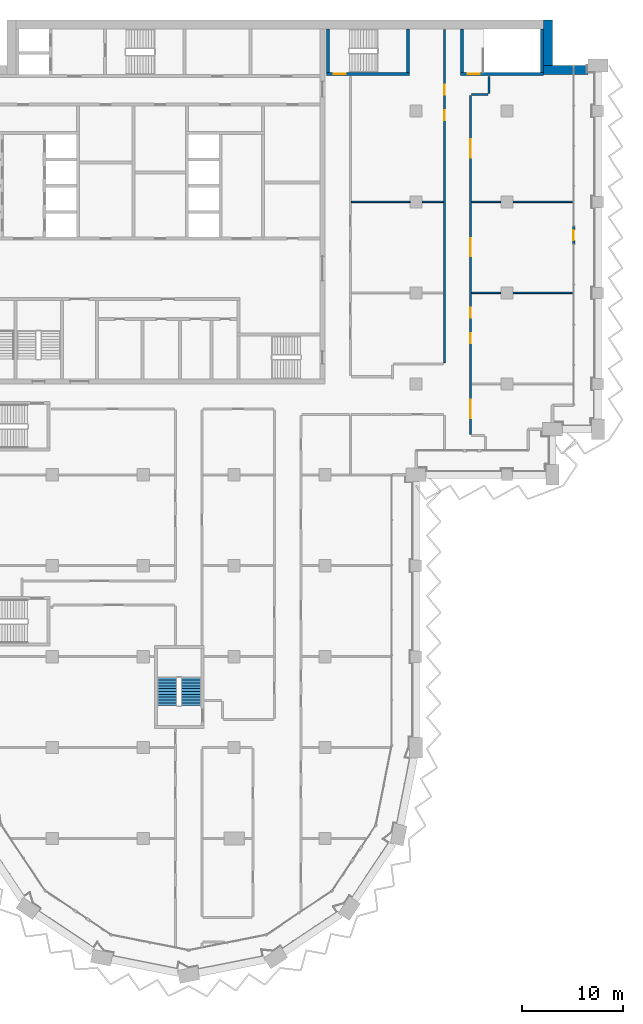
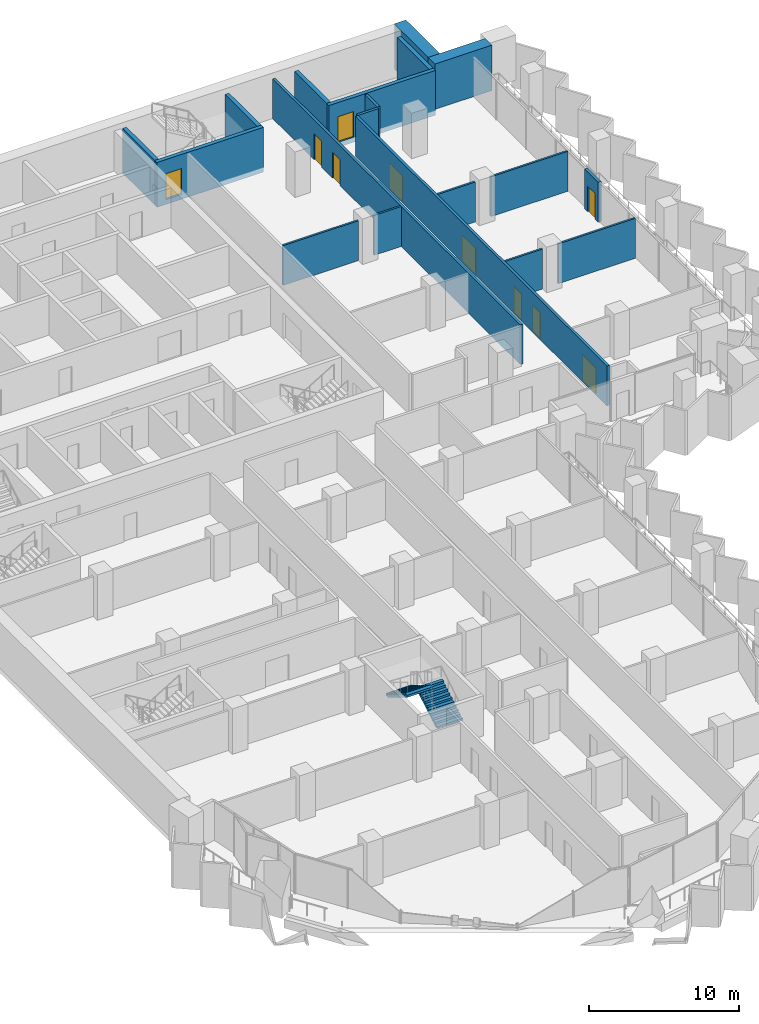
# One storey, part 15 of 22: 19 walls, 10 doors, 2 stair flights, 10 openings, 1 element without a shape of its own.
"""IFC4 building model written with IfcOpenShell, lengths in metres."""

from ifc_helpers import new_model, si_unit, direction, frame, frame_2d, origin, place, context, subcontext, project, spatial, polyline, rectangle, outline, extrude, material, layer, layer_set, type_object, element, fill, aggregate, save


model = new_model("IFC4")

# Units and contexts
model_context = context("Model", 3, precision=1e-05, world=origin(), true_north=direction((0.0, 1.0)))
body_context = subcontext(model_context, "Body", "Model", "MODEL_VIEW")
ifc_project = project(units=[si_unit("LENGTHUNIT", "METRE"), si_unit("AREAUNIT", "SQUARE_METRE"), si_unit("VOLUMEUNIT", "CUBIC_METRE"), si_unit("PLANEANGLEUNIT", "RADIAN"), si_unit("MASSUNIT", "GRAM", prefix="KILO")], contexts=[model_context])

# Site, building, storey
site_placement = place(None, origin())
site = spatial("IfcSite", under=ifc_project, at=site_placement, CompositionType="ELEMENT")
building_placement = place(site_placement, origin())
building = spatial("IfcBuilding", under=site, at=building_placement, Name="Hunhe Ridgeline Campus", CompositionType="ELEMENT")
storey_placement = place(building_placement, frame((0.0, 0.0, 174.5)))
storey = spatial("IfcBuildingStorey", under=building, at=storey_placement, Name="L44", CompositionType="ELEMENT", Elevation=174.5)

# Wall
ifc_material_1 = material(Name="Gypsum board partition")
ifc_layer_1 = layer(ifc_material_1, 0.199951171875)
ifc_layer_set_1 = layer_set([ifc_layer_1], Name="Corridor partition 200 gypsum board on steel studs")
wall_type_1 = type_object("IfcWallType", Name="Corridor partition 200 gypsum board on steel studs", PredefinedType="PARTITIONING", material=ifc_layer_set_1)
wall_1_placement = place(storey_placement, frame((52.10009765625, 91.64990234375, 0.0), z_axis=(0.0, 0.0, 1.0), x_axis=(-1.0, 0.0, 0.0)))
element("IfcWall", 1, at=wall_1_placement, inside=storey, type_object=wall_type_1, Name="F-L44-wall-060", PredefinedType="PARTITIONING", context=body_context, shape_type="SweptSolid", body=[
    extrude(rectangle(XDim=1.60009765625, YDim=0.199951171875, at=frame_2d((0.800048828125, 0.0))), origin(), (0.0, 0.0, 1.0), 3.25),
])

# Wall, openings, doors
wall_2_placement = place(storey_placement, frame((47.800048828125, 65.050048828125, 0.0), z_axis=(0.0, 0.0, 1.0), x_axis=(0.0, 1.0, 0.0)))
wall_2 = element("IfcWall", 2, at=wall_2_placement, inside=storey, type_object=wall_type_1, Name="F-L44-wall-077", PredefinedType="PARTITIONING", context=body_context, shape_type="SweptSolid", body=[
    extrude(rectangle(XDim=33.030029296875, YDim=0.199951171875, at=frame_2d((16.51513671875, 0.0))), origin(), (0.0, 0.0, 1.0), 3.25),
])
opening_1_placement = place(wall_2_placement, frame((24.0341796875, 0.0, 0.0)))
opening_1 = element("IfcOpeningElement", 3, at=opening_1_placement, cuts=wall_2, Name="Opening RD1-035", PredefinedType="OPENING", context=body_context, shape_type="SweptSolid", body=[
    extrude(rectangle(XDim=1.0, YDim=2.10009765625, at=frame_2d((0.5, 1.050048828125))), frame((0.0, 0.10009765625, 0.0), z_axis=(0.0, -1.0, 0.0), x_axis=(1.0, 0.0, 0.0)), (0.0, 0.0, 1.0), 0.199951171875),
])
opening_2_placement = place(wall_2_placement, frame((26.5341796875, 0.0, 0.0)))
opening_2 = element("IfcOpeningElement", 4, at=opening_2_placement, cuts=wall_2, Name="Opening RD1-036", PredefinedType="OPENING", context=body_context, shape_type="SweptSolid", body=[
    extrude(rectangle(XDim=1.0, YDim=2.10009765625, at=frame_2d((0.5, 1.050048828125))), frame((0.0, 0.10009765625, 0.0), z_axis=(0.0, -1.0, 0.0), x_axis=(1.0, 0.0, 0.0)), (0.0, 0.0, 1.0), 0.199951171875),
])
ifc_material_2 = material(Name="Timber door leaf", Category="wood")
door_type_1 = type_object("IfcDoorType", Name="Single fire door 1000x2100 timber FD60", OperationType="NOTDEFINED", PredefinedType="DOOR", material=ifc_material_2)
door_1_placement = place(opening_1_placement, frame((1.0, 0.0, 0.0), z_axis=(0.0, 0.0, 1.0), x_axis=(-1.0, 0.0, 0.0)))
door_1 = element("IfcDoor", 5, at=door_1_placement, inside=storey, type_object=door_type_1, Name="F-L44-door-035", OperationType="SINGLE_SWING_LEFT", OverallHeight=2.10009765625, OverallWidth=1.0, PredefinedType="DOOR", context=body_context, shape_type="SweptSolid", body=[
    extrude(rectangle(XDim=1.0, YDim=2.10009765625, at=frame_2d((0.5, 1.050048828125))), frame((0.0, 0.02490234375, 0.0), z_axis=(0.0, -1.0, 0.0), x_axis=(1.0, 0.0, 0.0)), (0.0, 0.0, 1.0), 0.050048828125),
])
fill(opening_1, door_1)
door_2_placement = place(opening_2_placement, frame((1.0, 0.0, 0.0), z_axis=(0.0, 0.0, 1.0), x_axis=(-1.0, 0.0, 0.0)))
door_2 = element("IfcDoor", 6, at=door_2_placement, inside=storey, type_object=door_type_1, Name="F-L44-door-036", OperationType="SINGLE_SWING_LEFT", OverallHeight=2.10009765625, OverallWidth=1.0, PredefinedType="DOOR", context=body_context, shape_type="SweptSolid", body=[
    extrude(rectangle(XDim=1.0, YDim=2.10009765625, at=frame_2d((0.5, 1.050048828125))), frame((0.0, 0.02490234375, 0.0), z_axis=(0.0, -1.0, 0.0), x_axis=(1.0, 0.0, 0.0)), (0.0, 0.0, 1.0), 0.050048828125),
])
fill(opening_2, door_2)

wall_3_placement = place(storey_placement, frame((50.39990234375, 91.550048828125, 0.0), z_axis=(0.0, 0.0, 1.0), x_axis=(0.0, -1.0, 0.0)))
wall_3 = element("IfcWall", 7, at=wall_3_placement, inside=storey, type_object=wall_type_1, Name="F-L44-wall-078", PredefinedType="PARTITIONING", context=body_context, shape_type="SweptSolid", body=[
    extrude(rectangle(XDim=33.549072265625, YDim=0.199951171875, at=frame_2d((16.7744140625, 0.0))), origin(), (0.0, 0.0, 1.0), 3.25),
])
opening_3_placement = place(wall_3_placement, frame((30.145263671875, 0.0, 0.0)))
opening_3 = element("IfcOpeningElement", 8, at=opening_3_placement, cuts=wall_3, Name="Opening RD2-026", PredefinedType="OPENING", context=body_context, shape_type="SweptSolid", body=[
    extrude(rectangle(XDim=1.800048828125, YDim=2.10009765625, at=frame_2d((0.89990234375, 1.050048828125))), frame((0.0, 0.10009765625, 0.0), z_axis=(0.0, -1.0, 0.0), x_axis=(1.0, 0.0, 0.0)), (0.0, 0.0, 1.0), 0.199951171875),
])
opening_4_placement = place(wall_3_placement, frame((23.53515625, 0.0, 0.0)))
opening_4 = element("IfcOpeningElement", 9, at=opening_4_placement, cuts=wall_3, Name="Opening RD1-027", PredefinedType="OPENING", context=body_context, shape_type="SweptSolid", body=[
    extrude(rectangle(XDim=1.0, YDim=2.10009765625, at=frame_2d((0.5, 1.050048828125))), frame((0.0, 0.10009765625, 0.0), z_axis=(0.0, -1.0, 0.0), x_axis=(1.0, 0.0, 0.0)), (0.0, 0.0, 1.0), 0.199951171875),
])
opening_5_placement = place(wall_3_placement, frame((21.03515625, 0.0, 0.0)))
opening_5 = element("IfcOpeningElement", 10, at=opening_5_placement, cuts=wall_3, Name="Opening RD1-029", PredefinedType="OPENING", context=body_context, shape_type="SweptSolid", body=[
    extrude(rectangle(XDim=1.0, YDim=2.10009765625, at=frame_2d((0.5, 1.050048828125))), frame((0.0, 0.10009765625, 0.0), z_axis=(0.0, -1.0, 0.0), x_axis=(1.0, 0.0, 0.0)), (0.0, 0.0, 1.0), 0.199951171875),
])
opening_6_placement = place(wall_3_placement, frame((14.121826171875, 0.0, 0.0)))
opening_6 = element("IfcOpeningElement", 11, at=opening_6_placement, cuts=wall_3, Name="Opening RD2-031", PredefinedType="OPENING", context=body_context, shape_type="SweptSolid", body=[
    extrude(rectangle(XDim=1.800048828125, YDim=2.10009765625, at=frame_2d((0.89990234375, 1.050048828125))), frame((0.0, 0.10009765625, 0.0), z_axis=(0.0, -1.0, 0.0), x_axis=(1.0, 0.0, 0.0)), (0.0, 0.0, 1.0), 0.199951171875),
])
opening_7_placement = place(wall_3_placement, frame((4.357666015625, 0.0, 0.0)))
opening_7 = element("IfcOpeningElement", 12, at=opening_7_placement, cuts=wall_3, Name="Opening RD2-034", PredefinedType="OPENING", context=body_context, shape_type="SweptSolid", body=[
    extrude(rectangle(XDim=1.800048828125, YDim=2.10009765625, at=frame_2d((0.89990234375, 1.050048828125))), frame((0.0, 0.10009765625, 0.0), z_axis=(0.0, -1.0, 0.0), x_axis=(1.0, 0.0, 0.0)), (0.0, 0.0, 1.0), 0.199951171875),
])
door_type_2 = type_object("IfcDoorType", Name="Double fire door 1800x2100 timber FD60", OperationType="DOUBLE_DOOR_SINGLE_SWING", PredefinedType="DOOR", material=ifc_material_2)
door_3_placement = place(opening_3_placement, origin())
door_3 = element("IfcDoor", 13, at=door_3_placement, inside=storey, type_object=door_type_2, Name="F-L44-door-026", OperationType="DOUBLE_DOOR_SINGLE_SWING", OverallHeight=2.10009765625, OverallWidth=1.800048828125, PredefinedType="DOOR", context=body_context, shape_type="SweptSolid", body=[
    extrude(rectangle(XDim=1.800048828125, YDim=2.10009765625, at=frame_2d((0.89990234375, 1.050048828125))), frame((0.0, 0.02490234375, 0.0), z_axis=(0.0, -1.0, 0.0), x_axis=(1.0, 0.0, 0.0)), (0.0, 0.0, 1.0), 0.050048828125),
])
fill(opening_3, door_3)
door_4_placement = place(opening_6_placement, origin())
door_4 = element("IfcDoor", 14, at=door_4_placement, inside=storey, type_object=door_type_2, Name="F-L44-door-031", OperationType="DOUBLE_DOOR_SINGLE_SWING", OverallHeight=2.10009765625, OverallWidth=1.800048828125, PredefinedType="DOOR", context=body_context, shape_type="SweptSolid", body=[
    extrude(rectangle(XDim=1.800048828125, YDim=2.10009765625, at=frame_2d((0.89990234375, 1.050048828125))), frame((0.0, 0.02490234375, 0.0), z_axis=(0.0, -1.0, 0.0), x_axis=(1.0, 0.0, 0.0)), (0.0, 0.0, 1.0), 0.050048828125),
])
fill(opening_6, door_4)
door_5_placement = place(opening_7_placement, origin())
door_5 = element("IfcDoor", 15, at=door_5_placement, inside=storey, type_object=door_type_2, Name="F-L44-door-034", OperationType="DOUBLE_DOOR_SINGLE_SWING", OverallHeight=2.10009765625, OverallWidth=1.800048828125, PredefinedType="DOOR", context=body_context, shape_type="SweptSolid", body=[
    extrude(rectangle(XDim=1.800048828125, YDim=2.10009765625, at=frame_2d((0.89990234375, 1.050048828125))), frame((0.0, 0.02490234375, 0.0), z_axis=(0.0, -1.0, 0.0), x_axis=(1.0, 0.0, 0.0)), (0.0, 0.0, 1.0), 0.050048828125),
])
fill(opening_7, door_5)
door_6_placement = place(opening_4_placement, frame((1.0, 0.0, 0.0), z_axis=(0.0, 0.0, 1.0), x_axis=(-1.0, 0.0, 0.0)))
door_6 = element("IfcDoor", 16, at=door_6_placement, inside=storey, type_object=door_type_1, Name="F-L44-door-027", OperationType="SINGLE_SWING_LEFT", OverallHeight=2.10009765625, OverallWidth=1.0, PredefinedType="DOOR", context=body_context, shape_type="SweptSolid", body=[
    extrude(rectangle(XDim=1.0, YDim=2.10009765625, at=frame_2d((0.5, 1.050048828125))), frame((0.0, 0.02490234375, 0.0), z_axis=(0.0, -1.0, 0.0), x_axis=(1.0, 0.0, 0.0)), (0.0, 0.0, 1.0), 0.050048828125),
])
fill(opening_4, door_6)
door_7_placement = place(opening_5_placement, frame((1.0, 0.0, 0.0), z_axis=(0.0, 0.0, 1.0), x_axis=(-1.0, 0.0, 0.0)))
door_7 = element("IfcDoor", 17, at=door_7_placement, inside=storey, type_object=door_type_1, Name="F-L44-door-029", OperationType="SINGLE_SWING_RIGHT", OverallHeight=2.10009765625, OverallWidth=1.0, PredefinedType="DOOR", context=body_context, shape_type="SweptSolid", body=[
    extrude(rectangle(XDim=1.0, YDim=2.10009765625, at=frame_2d((0.5, 1.050048828125))), frame((0.0, 0.02490234375, 0.0), z_axis=(0.0, -1.0, 0.0), x_axis=(1.0, 0.0, 0.0)), (0.0, 0.0, 1.0), 0.050048828125),
])
fill(opening_5, door_7)

# Wall
wall_4_placement = place(storey_placement, frame((52.199951171875, 93.39599609375, 0.0), z_axis=(0.0, 0.0, 1.0), x_axis=(0.0, -1.0, 0.0)))
element("IfcWall", 18, at=wall_4_placement, inside=storey, type_object=wall_type_1, Name="F-L44-wall-080", PredefinedType="PARTITIONING", context=body_context, shape_type="SweptSolid", body=[
    extrude(rectangle(XDim=1.64599609375, YDim=0.199951171875, at=frame_2d((0.822998046875, 0.0))), origin(), (0.0, 0.0, 1.0), 3.25),
])

# Wall, opening, door
ifc_material_3 = material(Name="Concrete C30", Category="concrete")
ifc_layer_2 = layer(ifc_material_3, 0.25)
ifc_layer_set_2 = layer_set([ifc_layer_2], Name="Loggia door pier wall 250 Concrete C30")
wall_type_2 = type_object("IfcWallType", Name="Loggia door pier wall 250 Concrete C30", PredefinedType="SOLIDWALL", material=ifc_layer_set_2)
wall_5_placement = place(storey_placement, frame((60.59912109375, 76.800537109375, 0.0), z_axis=(0.0, 0.0, 1.0), x_axis=(0.0, 1.0, 0.0)))
wall_5 = element("IfcWall", 19, at=wall_5_placement, inside=storey, type_object=wall_type_2, Name="Loggia door pier 4", PredefinedType="SOLIDWALL", context=body_context, shape_type="SweptSolid", body=[
    extrude(rectangle(XDim=1.800048828125, YDim=0.25, at=frame_2d((0.89990234375, 0.0))), origin(), (0.0, 0.0, 1.0), 3.25),
])
opening_8_placement = place(wall_5_placement, frame((0.39990234375, 0.0, 0.0)))
opening_8 = element("IfcOpeningElement", 20, at=opening_8_placement, cuts=wall_5, Name="Opening BD307", PredefinedType="OPENING", context=body_context, shape_type="SweptSolid", body=[
    extrude(rectangle(XDim=1.0, YDim=2.10009765625, at=frame_2d((0.5, 1.050048828125))), frame((0.0, 0.125, 0.0), z_axis=(0.0, -1.0, 0.0), x_axis=(1.0, 0.0, 0.0)), (0.0, 0.0, 1.0), 0.25),
])
ifc_material_4 = material(Name="Aluminium 6063", Category="aluminium")
door_type_3 = type_object("IfcDoorType", Name="Loggia glazed door 1000x2100", OperationType="NOTDEFINED", PredefinedType="DOOR", material=ifc_material_4)
door_8_placement = place(opening_8_placement, frame((1.0, 0.0, 0.0), z_axis=(0.0, 0.0, 1.0), x_axis=(-1.0, 0.0, 0.0)))
door_8 = element("IfcDoor", 21, at=door_8_placement, inside=storey, type_object=door_type_3, Name="Loggia door BD307", OperationType="SINGLE_SWING_RIGHT", OverallHeight=2.10009765625, OverallWidth=1.0, PredefinedType="DOOR", context=body_context, shape_type="SweptSolid", body=[
    extrude(rectangle(XDim=1.0, YDim=2.10009765625, at=frame_2d((0.5, 1.050048828125))), frame((0.0, 0.02490234375, 0.0), z_axis=(0.0, -1.0, 0.0), x_axis=(1.0, 0.0, 0.0)), (0.0, 0.0, 1.0), 0.050048828125),
])
fill(opening_8, door_8)

# Walls
ifc_layer_3 = layer(ifc_material_1, 0.14990234375)
ifc_layer_set_3 = layer_set([ifc_layer_3], Name="Room partition 150 gypsum board on steel studs")
wall_type_3 = type_object("IfcWallType", Name="Room partition 150 gypsum board on steel studs", PredefinedType="PARTITIONING", material=ifc_layer_set_3)
wall_6_placement = place(storey_placement, frame((50.5, 72.0, 0.0), z_axis=(0.0, 0.0, 1.0), x_axis=(1.0, 0.0, 0.0)))
element("IfcWall", 22, at=wall_6_placement, inside=storey, type_object=wall_type_3, Name="F-L44-wall-054", PredefinedType="PARTITIONING", context=body_context, shape_type="SweptSolid", body=[
    extrude(rectangle(XDim=2.89990234375, YDim=0.14990234375, at=frame_2d((1.449951171875, 0.0))), origin(), (0.0, 0.0, 1.0), 3.25),
])
wall_7_placement = place(storey_placement, frame((54.60009765625, 72.0, 0.0), z_axis=(0.0, 0.0, 1.0), x_axis=(1.0, 0.0, 0.0)))
element("IfcWall", 23, at=wall_7_placement, inside=storey, type_object=wall_type_3, Name="F-L44-wall-055", PredefinedType="PARTITIONING", context=body_context, shape_type="SweptSolid", body=[
    extrude(rectangle(XDim=5.94482421875, YDim=0.14990234375, at=frame_2d((2.972412109375, 0.0))), origin(), (0.0, 0.0, 1.0), 3.25),
])
wall_8_placement = place(storey_placement, frame((38.60009765625, 81.0, 0.0), z_axis=(0.0, 0.0, 1.0), x_axis=(1.0, 0.0, 0.0)))
element("IfcWall", 24, at=wall_8_placement, inside=storey, type_object=wall_type_3, Name="F-L44-wall-056", PredefinedType="PARTITIONING", context=body_context, shape_type="SweptSolid", body=[
    extrude(rectangle(XDim=5.7998046875, YDim=0.14990234375, at=frame_2d((2.89990234375, 0.0))), origin(), (0.0, 0.0, 1.0), 3.25),
])
wall_9_placement = place(storey_placement, frame((45.60009765625, 81.0, 0.0), z_axis=(0.0, 0.0, 1.0), x_axis=(1.0, 0.0, 0.0)))
element("IfcWall", 25, at=wall_9_placement, inside=storey, type_object=wall_type_3, Name="F-L44-wall-057", PredefinedType="PARTITIONING", context=body_context, shape_type="SweptSolid", body=[
    extrude(rectangle(XDim=2.099853515625, YDim=0.14990234375, at=frame_2d((1.0498046875, 0.0))), origin(), (0.0, 0.0, 1.0), 3.25),
])
wall_10_placement = place(storey_placement, frame((50.5, 81.0, 0.0), z_axis=(0.0, 0.0, 1.0), x_axis=(1.0, 0.0, 0.0)))
element("IfcWall", 26, at=wall_10_placement, inside=storey, type_object=wall_type_3, Name="F-L44-wall-058", PredefinedType="PARTITIONING", context=body_context, shape_type="SweptSolid", body=[
    extrude(rectangle(XDim=2.89990234375, YDim=0.14990234375, at=frame_2d((1.449951171875, 0.0))), origin(), (0.0, 0.0, 1.0), 3.25),
])
wall_11_placement = place(storey_placement, frame((54.60009765625, 81.0, 0.0), z_axis=(0.0, 0.0, 1.0), x_axis=(1.0, 0.0, 0.0)))
element("IfcWall", 27, at=wall_11_placement, inside=storey, type_object=wall_type_3, Name="F-L44-wall-059", PredefinedType="PARTITIONING", context=body_context, shape_type="SweptSolid", body=[
    extrude(rectangle(XDim=5.94482421875, YDim=0.14990234375, at=frame_2d((2.972412109375, 0.0))), origin(), (0.0, 0.0, 1.0), 3.25),
])
ifc_material_5 = material(Name="Concrete C70", Category="concrete")
ifc_layer_4 = layer(ifc_material_5, 0.89990234375)
ifc_layer_set_4 = layer_set([ifc_layer_4], Name="Spine wall 900 Concrete C70")
wall_type_4 = type_object("IfcWallType", Name="Spine wall 900 Concrete C70", PredefinedType="SHEAR", material=ifc_layer_set_4)
wall_12_placement = place(storey_placement, frame((62.0, 94.050048828125, 0.0), z_axis=(0.0, 0.0, 1.0), x_axis=(-1.0, 0.0, 0.0)))
element("IfcWall", 28, at=wall_12_placement, inside=storey, type_object=wall_type_4, Name="Spine wall SW2-2 L44", PredefinedType="SHEAR", context=body_context, shape_type="SweptSolid", body=[
    extrude(rectangle(XDim=4.400390625, YDim=0.89990234375, at=frame_2d((2.2001953125, 0.0))), origin(), (0.0, 0.0, 1.0), 3.699951171875),
])
wall_13_placement = place(storey_placement, frame((58.050048828125, 93.60009765625, 0.0), z_axis=(0.0, 0.0, 1.0), x_axis=(0.0, 1.0, 0.0)))
element("IfcWall", 29, at=wall_13_placement, inside=storey, type_object=wall_type_4, Name="Spine wall SW2-3 L44", PredefinedType="SHEAR", context=body_context, shape_type="SweptSolid", body=[
    extrude(rectangle(XDim=5.39990234375, YDim=0.89990234375, at=frame_2d((2.699951171875, 0.0))), origin(), (0.0, 0.0, 1.0), 3.699951171875),
])

# Wall, opening, door
ifc_layer_5 = layer(ifc_material_5, 0.300048828125)
ifc_layer_set_5 = layer_set([ifc_layer_5], Name="Stair wall 300 reinforced concrete C70")
wall_type_5 = type_object("IfcWallType", Name="Stair wall 300 reinforced concrete C70", PredefinedType="SOLIDWALL", material=ifc_layer_set_5)
wall_14_placement = place(storey_placement, frame((36.14990234375, 93.64990234375, -0.39990234375), z_axis=(0.0, 0.0, 1.0), x_axis=(1.0, 0.0, 0.0)))
wall_14 = element("IfcWall", 30, at=wall_14_placement, inside=storey, type_object=wall_type_5, Name="L44 core wall 30", PredefinedType="SOLIDWALL", context=body_context, shape_type="SweptSolid", body=[
    extrude(rectangle(XDim=8.2001953125, YDim=0.300048828125, at=frame_2d((4.10009765625, 0.0))), origin(), (0.0, 0.0, 1.0), 3.64990234375),
])
opening_9_placement = place(wall_14_placement, frame((0.699951171875, 0.0, 0.39990234375)))
opening_9 = element("IfcOpeningElement", 31, at=opening_9_placement, cuts=wall_14, Name="Opening CD17", PredefinedType="OPENING", context=body_context, shape_type="SweptSolid", body=[
    extrude(rectangle(XDim=1.199951171875, YDim=2.10009765625, at=frame_2d((0.60009765625, 1.050048828125))), frame((0.0, 0.14990234375, 0.0), z_axis=(0.0, -1.0, 0.0), x_axis=(1.0, 0.0, 0.0)), (0.0, 0.0, 1.0), 0.300048828125),
])
ifc_material_6 = material(Name="Hollow metal fire door leaf")
door_type_4 = type_object("IfcDoorType", Name="Stair door 1200x2100 FD60", OperationType="SINGLE_SWING_LEFT", PredefinedType="DOOR", material=ifc_material_6)
door_9_placement = place(opening_9_placement, frame((1.199951171875, 0.0, 0.0), z_axis=(0.0, 0.0, 1.0), x_axis=(-1.0, 0.0, 0.0)))
door_9 = element("IfcDoor", 32, at=door_9_placement, inside=storey, type_object=door_type_4, Name="L44 door E1", OperationType="SINGLE_SWING_RIGHT", OverallHeight=2.10009765625, OverallWidth=1.199951171875, PredefinedType="DOOR", context=body_context, shape_type="SweptSolid", body=[
    extrude(rectangle(XDim=1.199951171875, YDim=2.10009765625, at=frame_2d((0.60009765625, 1.050048828125))), frame((0.0, 0.02490234375, 0.0), z_axis=(0.0, -1.0, 0.0), x_axis=(1.0, 0.0, 0.0)), (0.0, 0.0, 1.0), 0.050048828125),
])
fill(opening_9, door_9)

wall_15_placement = place(storey_placement, frame((49.39990234375, 93.64990234375, -0.39990234375), z_axis=(0.0, 0.0, 1.0), x_axis=(1.0, 0.0, 0.0)))
wall_15 = element("IfcWall", 33, at=wall_15_placement, inside=storey, type_object=wall_type_5, Name="L44 core wall 31", PredefinedType="SOLIDWALL", context=body_context, shape_type="SweptSolid", body=[
    extrude(rectangle(XDim=8.2001953125, YDim=0.300048828125, at=frame_2d((4.10009765625, 0.0))), origin(), (0.0, 0.0, 1.0), 3.64990234375),
])
opening_10_placement = place(wall_15_placement, frame((0.699951171875, 0.0, 0.39990234375)))
opening_10 = element("IfcOpeningElement", 34, at=opening_10_placement, cuts=wall_15, Name="Opening CD18", PredefinedType="OPENING", context=body_context, shape_type="SweptSolid", body=[
    extrude(rectangle(XDim=1.199951171875, YDim=2.10009765625, at=frame_2d((0.60009765625, 1.050048828125))), frame((0.0, 0.14990234375, 0.0), z_axis=(0.0, -1.0, 0.0), x_axis=(1.0, 0.0, 0.0)), (0.0, 0.0, 1.0), 0.300048828125),
])
door_10_placement = place(opening_10_placement, frame((1.199951171875, 0.0, 0.0), z_axis=(0.0, 0.0, 1.0), x_axis=(-1.0, 0.0, 0.0)))
door_10 = element("IfcDoor", 35, at=door_10_placement, inside=storey, type_object=door_type_4, Name="L44 door E2", OperationType="SINGLE_SWING_LEFT", OverallHeight=2.10009765625, OverallWidth=1.199951171875, PredefinedType="DOOR", context=body_context, shape_type="SweptSolid", body=[
    extrude(rectangle(XDim=1.199951171875, YDim=2.10009765625, at=frame_2d((0.60009765625, 1.050048828125))), frame((0.0, 0.02490234375, 0.0), z_axis=(0.0, -1.0, 0.0), x_axis=(1.0, 0.0, 0.0)), (0.0, 0.0, 1.0), 0.050048828125),
])
fill(opening_10, door_10)

# Walls
for number, where, z_axis, x_axis, name in (
    (36, (36.300048828125, 93.800048828125, -0.39990234375), (0.0, 0.0, 1.0), (0.0, 1.0, 0.0), "L44 core wall 61"),
    (37, (44.199951171875, 93.800048828125, -0.39990234375), (0.0, 0.0, 1.0), (0.0, 1.0, 0.0), "L44 core wall 62"),
    (38, (49.550048828125, 93.800048828125, -0.39990234375), (0.0, 0.0, 1.0), (0.0, 1.0, 0.0), "L44 core wall 63"),
    (39, (57.449951171875, 93.800048828125, -0.39990234375), (0.0, 0.0, 1.0), (0.0, 1.0, 0.0), "L44 core wall 64"),
):
    element("IfcWall", number, at=place(storey_placement, frame(where, z_axis=z_axis, x_axis=x_axis)), inside=storey, type_object=wall_type_5, Name=name, PredefinedType="SOLIDWALL", context=body_context, shape_type="SweptSolid", body=[
        extrude(rectangle(XDim=4.300048828125, YDim=0.300048828125, at=frame_2d((2.14990234375, 0.0))), origin(), (0.0, 0.0, 1.0), 3.64990234375),
    ])

# Stair, stair flights
ifc_material_7 = material(Name="Concrete C40", Category="concrete")
stair_type = type_object("IfcStairType", Name="Reinforced concrete dog-leg stair 1950 Concrete C40", PredefinedType="HALF_TURN_STAIR", material=ifc_material_7)
stair_placement = place(storey_placement, origin())
stair = element("IfcStair", 40, at=stair_placement, inside=storey, type_object=stair_type, Name="L44 W3", PredefinedType="HALF_TURN_STAIR")
stair_flight_type = type_object("IfcStairFlightType", Name="Reinforced concrete stair flight 1950 Concrete C40", PredefinedType="STRAIGHT", material=ifc_material_7)
stair_flight_1_placement = place(storey_placement, frame((22.72509765625, 31.14990234375, 0.0), z_axis=(0.0, 0.0, 1.0), x_axis=(0.0, 1.0, 0.0)))
stair_flight_1 = element("IfcStairFlight", 41, at=stair_flight_1_placement, type_object=stair_flight_type, Name="ST9 flight 1", NumberOfRisers=11, NumberOfTreads=10, PredefinedType="STRAIGHT", RiserHeight=0.168181818, TreadLength=0.28, context=body_context, shape_type="SweptSolid", body=[
    extrude(outline(polyline([(0.0, 0.0), (0.0, 0.168212890625), (0.280029296875, 0.168212890625), (0.280029296875, 0.33642578125), (0.56005859375, 0.33642578125), (0.56005859375, 0.504638671875), (0.840087890625, 0.504638671875), (0.840087890625, 0.672607421875), (1.1201171875, 0.672607421875), (1.1201171875, 0.8408203125), (1.39990234375, 0.8408203125), (1.39990234375, 1.009033203125), (1.679931640625, 1.009033203125), (1.679931640625, 1.17724609375), (1.9599609375, 1.17724609375), (1.9599609375, 1.345458984375), (2.239990234375, 1.345458984375), (2.239990234375, 1.513671875), (2.52001953125, 1.513671875), (2.52001953125, 1.681884765625), (2.800048828125, 1.681884765625), (2.800048828125, 1.85009765625), (2.800048828125, 1.5068359375), (0.291015625, 0.0), (0.0, 0.0)])), frame((0.0, 0.97509765625, 0.0), z_axis=(0.0, -1.0, 0.0), x_axis=(1.0, 0.0, 0.0)), (0.0, 0.0, 1.0), 1.949951171875),
    extrude(outline(polyline([(0.030029296875, 0.030029296875), (0.030029296875, 0.13818359375), (0.31005859375, 0.13818359375), (0.31005859375, 0.306396484375), (0.590087890625, 0.306396484375), (0.590087890625, 0.474609375), (0.8701171875, 0.474609375), (0.8701171875, 0.642578125), (1.14990234375, 0.642578125), (1.14990234375, 0.810791015625), (1.429931640625, 0.810791015625), (1.429931640625, 0.97900390625), (1.7099609375, 0.97900390625), (1.7099609375, 1.147216796875), (1.989990234375, 1.147216796875), (1.989990234375, 1.3154296875), (2.27001953125, 1.3154296875), (2.27001953125, 1.483642578125), (2.550048828125, 1.483642578125), (2.550048828125, 1.65185546875), (2.77001953125, 1.65185546875), (2.77001953125, 1.52392578125), (0.28271484375, 0.030029296875), (0.030029296875, 0.030029296875)])), frame((0.0, -0.070068359375, 0.0), z_axis=(0.0, -1.0, 0.0), x_axis=(1.0, 0.0, 0.0)), (0.0, 0.0, 1.0), 0.019775390625),
    extrude(outline(polyline([(0.030029296875, 0.030029296875), (0.030029296875, 0.13818359375), (0.31005859375, 0.13818359375), (0.31005859375, 0.306396484375), (0.590087890625, 0.306396484375), (0.590087890625, 0.474609375), (0.8701171875, 0.474609375), (0.8701171875, 0.642578125), (1.14990234375, 0.642578125), (1.14990234375, 0.810791015625), (1.429931640625, 0.810791015625), (1.429931640625, 0.97900390625), (1.7099609375, 0.97900390625), (1.7099609375, 1.147216796875), (1.989990234375, 1.147216796875), (1.989990234375, 1.3154296875), (2.27001953125, 1.3154296875), (2.27001953125, 1.483642578125), (2.550048828125, 1.483642578125), (2.550048828125, 1.65185546875), (2.77001953125, 1.65185546875), (2.77001953125, 1.52392578125), (0.28271484375, 0.030029296875), (0.030029296875, 0.030029296875)])), frame((0.0, 0.010009765625, 0.0), z_axis=(0.0, -1.0, 0.0), x_axis=(1.0, 0.0, 0.0)), (0.0, 0.0, 1.0), 0.019775390625),
    extrude(outline(polyline([(0.030029296875, 0.030029296875), (0.030029296875, 0.13818359375), (0.31005859375, 0.13818359375), (0.31005859375, 0.306396484375), (0.590087890625, 0.306396484375), (0.590087890625, 0.474609375), (0.8701171875, 0.474609375), (0.8701171875, 0.642578125), (1.14990234375, 0.642578125), (1.14990234375, 0.810791015625), (1.429931640625, 0.810791015625), (1.429931640625, 0.97900390625), (1.7099609375, 0.97900390625), (1.7099609375, 1.147216796875), (1.989990234375, 1.147216796875), (1.989990234375, 1.3154296875), (2.27001953125, 1.3154296875), (2.27001953125, 1.483642578125), (2.550048828125, 1.483642578125), (2.550048828125, 1.65185546875), (2.77001953125, 1.65185546875), (2.77001953125, 1.52392578125), (0.28271484375, 0.030029296875), (0.030029296875, 0.030029296875)])), frame((0.0, 0.090087890625, 0.0), z_axis=(0.0, -1.0, 0.0), x_axis=(1.0, 0.0, 0.0)), (0.0, 0.0, 1.0), 0.019775390625),
])
stair_flight_2_placement = place(storey_placement, frame((20.375, 33.949951171875, 1.85009765625), z_axis=(0.0, 0.0, 1.0), x_axis=(0.0, -1.0, 0.0)))
stair_flight_2 = element("IfcStairFlight", 42, at=stair_flight_2_placement, type_object=stair_flight_type, Name="ST9 flight 2", NumberOfRisers=11, NumberOfTreads=10, PredefinedType="STRAIGHT", RiserHeight=0.168181818, TreadLength=0.28, context=body_context, shape_type="SweptSolid", body=[
    extrude(outline(polyline([(0.0, 0.0), (0.0, 0.168212890625), (0.280029296875, 0.168212890625), (0.280029296875, 0.33642578125), (0.56005859375, 0.33642578125), (0.56005859375, 0.504638671875), (0.840087890625, 0.504638671875), (0.840087890625, 0.672607421875), (1.1201171875, 0.672607421875), (1.1201171875, 0.8408203125), (1.39990234375, 0.8408203125), (1.39990234375, 1.009033203125), (1.679931640625, 1.009033203125), (1.679931640625, 1.17724609375), (1.9599609375, 1.17724609375), (1.9599609375, 1.345458984375), (2.239990234375, 1.345458984375), (2.239990234375, 1.513671875), (2.52001953125, 1.513671875), (2.52001953125, 1.681884765625), (2.800048828125, 1.681884765625), (2.800048828125, 1.85009765625), (2.800048828125, 1.5068359375), (0.291015625, 0.0), (0.0, 0.0)])), frame((0.0, 0.97509765625, 0.0), z_axis=(0.0, -1.0, 0.0), x_axis=(1.0, 0.0, 0.0)), (0.0, 0.0, 1.0), 1.949951171875),
    extrude(outline(polyline([(0.030029296875, 0.030029296875), (0.030029296875, 0.13818359375), (0.31005859375, 0.13818359375), (0.31005859375, 0.306396484375), (0.590087890625, 0.306396484375), (0.590087890625, 0.474609375), (0.8701171875, 0.474609375), (0.8701171875, 0.642578125), (1.14990234375, 0.642578125), (1.14990234375, 0.810791015625), (1.429931640625, 0.810791015625), (1.429931640625, 0.97900390625), (1.7099609375, 0.97900390625), (1.7099609375, 1.147216796875), (1.989990234375, 1.147216796875), (1.989990234375, 1.3154296875), (2.27001953125, 1.3154296875), (2.27001953125, 1.483642578125), (2.550048828125, 1.483642578125), (2.550048828125, 1.65185546875), (2.77001953125, 1.65185546875), (2.77001953125, 1.52392578125), (0.28271484375, 0.030029296875), (0.030029296875, 0.030029296875)])), frame((0.0, -0.070068359375, 0.0), z_axis=(0.0, -1.0, 0.0), x_axis=(1.0, 0.0, 0.0)), (0.0, 0.0, 1.0), 0.019775390625),
    extrude(outline(polyline([(0.030029296875, 0.030029296875), (0.030029296875, 0.13818359375), (0.31005859375, 0.13818359375), (0.31005859375, 0.306396484375), (0.590087890625, 0.306396484375), (0.590087890625, 0.474609375), (0.8701171875, 0.474609375), (0.8701171875, 0.642578125), (1.14990234375, 0.642578125), (1.14990234375, 0.810791015625), (1.429931640625, 0.810791015625), (1.429931640625, 0.97900390625), (1.7099609375, 0.97900390625), (1.7099609375, 1.147216796875), (1.989990234375, 1.147216796875), (1.989990234375, 1.3154296875), (2.27001953125, 1.3154296875), (2.27001953125, 1.483642578125), (2.550048828125, 1.483642578125), (2.550048828125, 1.65185546875), (2.77001953125, 1.65185546875), (2.77001953125, 1.52392578125), (0.28271484375, 0.030029296875), (0.030029296875, 0.030029296875)])), frame((0.0, 0.010009765625, 0.0), z_axis=(0.0, -1.0, 0.0), x_axis=(1.0, 0.0, 0.0)), (0.0, 0.0, 1.0), 0.019775390625),
    extrude(outline(polyline([(0.030029296875, 0.030029296875), (0.030029296875, 0.13818359375), (0.31005859375, 0.13818359375), (0.31005859375, 0.306396484375), (0.590087890625, 0.306396484375), (0.590087890625, 0.474609375), (0.8701171875, 0.474609375), (0.8701171875, 0.642578125), (1.14990234375, 0.642578125), (1.14990234375, 0.810791015625), (1.429931640625, 0.810791015625), (1.429931640625, 0.97900390625), (1.7099609375, 0.97900390625), (1.7099609375, 1.147216796875), (1.989990234375, 1.147216796875), (1.989990234375, 1.3154296875), (2.27001953125, 1.3154296875), (2.27001953125, 1.483642578125), (2.550048828125, 1.483642578125), (2.550048828125, 1.65185546875), (2.77001953125, 1.65185546875), (2.77001953125, 1.52392578125), (0.28271484375, 0.030029296875), (0.030029296875, 0.030029296875)])), frame((0.0, 0.090087890625, 0.0), z_axis=(0.0, -1.0, 0.0), x_axis=(1.0, 0.0, 0.0)), (0.0, 0.0, 1.0), 0.019775390625),
])
aggregate(stair, [stair_flight_1, stair_flight_2])

save(model, "model.ifc")
